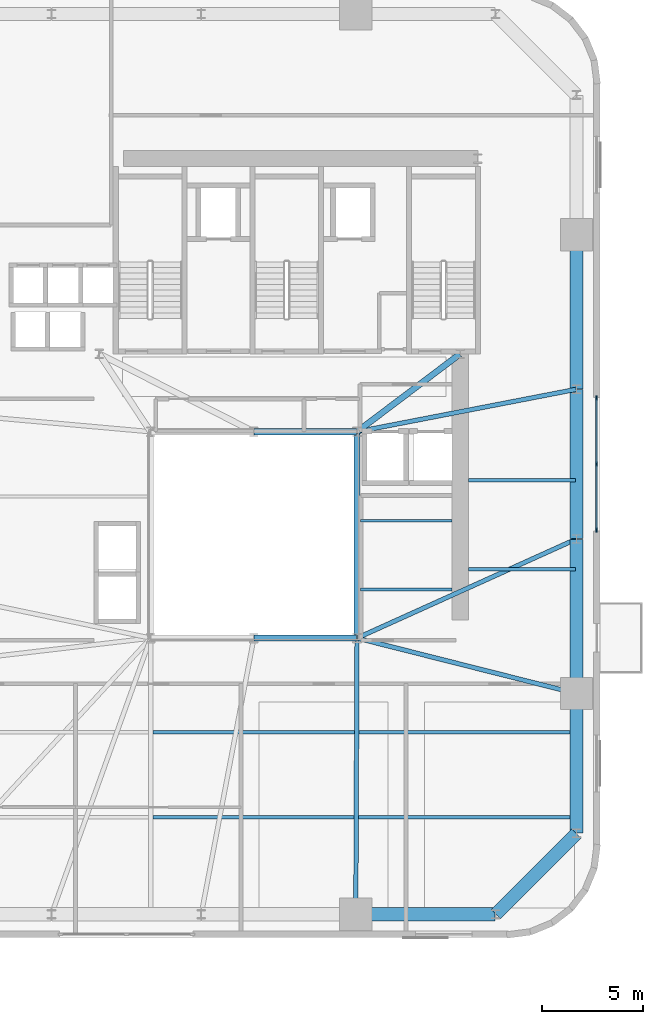
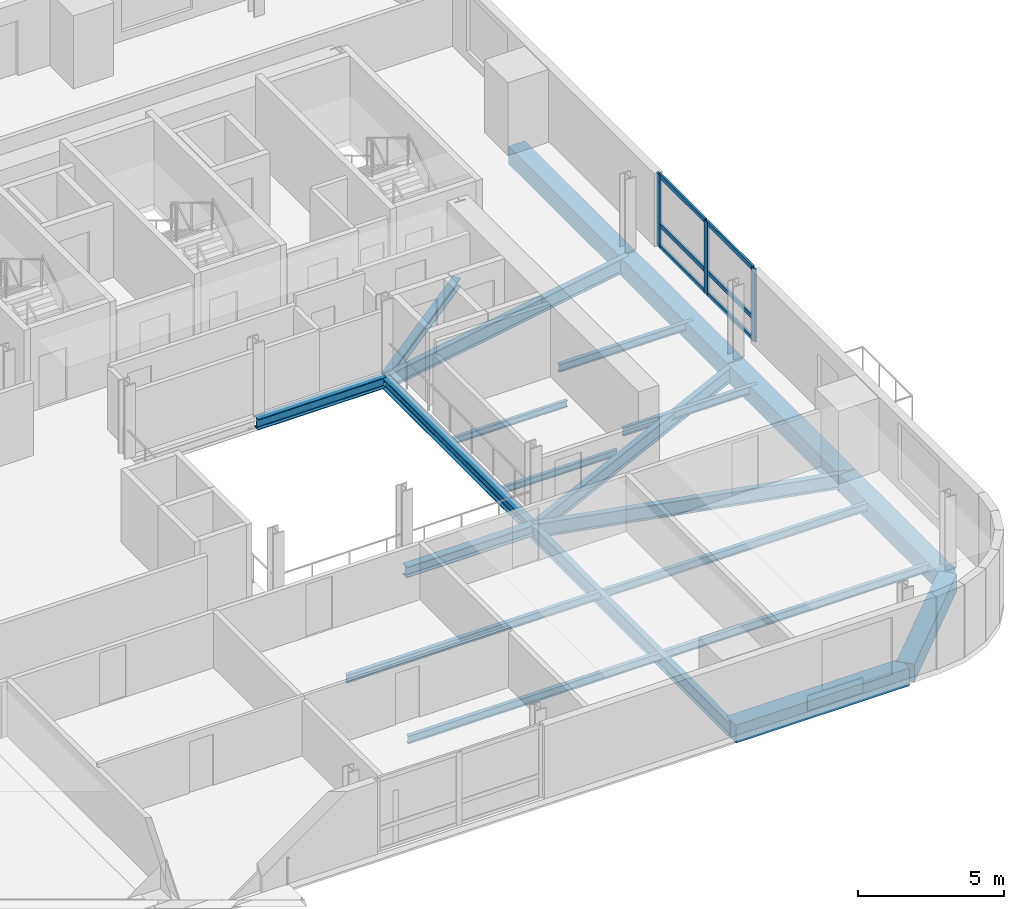
# One storey, part 3 of 14: 20 beams, 9 members, 1 element without a shape of its own.
"""IFC4 building model written with IfcOpenShell, lengths in metres."""

from ifc_helpers import new_model, si_unit, direction, frame, origin, origin_2d, place, context, subcontext, project, spatial, rectangle, i_section, extrude, source, transform, mapped, material, material_profile, profile_set, type_object, element, aggregate, save


model = new_model("IFC4")

# Units and contexts
model_context = context("Model", 3, precision=1e-05, world=origin(), true_north=direction((0.0, 1.0)))
body_context = subcontext(model_context, "Body", "Model", "MODEL_VIEW")
ifc_project = project(units=[si_unit("LENGTHUNIT", "METRE"), si_unit("AREAUNIT", "SQUARE_METRE"), si_unit("VOLUMEUNIT", "CUBIC_METRE"), si_unit("PLANEANGLEUNIT", "RADIAN"), si_unit("MASSUNIT", "GRAM", prefix="KILO")], contexts=[model_context])

# Site, building, storey
site_placement = place(None, origin())
site = spatial("IfcSite", under=ifc_project, at=site_placement, CompositionType="ELEMENT")
building_placement = place(site_placement, origin())
building = spatial("IfcBuilding", under=site, at=building_placement, Name="Vardaveli Station Tower", CompositionType="ELEMENT")
storey_placement = place(building_placement, frame((0.0, 0.0, 163.10009765625)))
storey = spatial("IfcBuildingStorey", under=building, at=storey_placement, Name="L42", CompositionType="ELEMENT", Elevation=163.10009765625)

# Beams
ifc_material_1 = material(Name="Structural steel S355J2", Category="steel")
ifc_material_profile_1 = material_profile(ifc_material_1, i_section(OverallWidth=0.300048828125, OverallDepth=0.449951171875, WebThickness=0.013916015625, FlangeThickness=0.02587890625, FilletRadius=0.027099609375, at=origin_2d()), Name="HEB 450")
ifc_profile_set_1 = profile_set([ifc_material_profile_1], Name="Structural steel S355J2")
beam_type_1 = type_object("IfcBeamType", Name="BM-HEB450", PredefinedType="BEAM", material=ifc_profile_set_1)
shared_shape_1 = source(origin(), body_context, "Body", "SweptSolid", [
    extrude(i_section(OverallWidth=0.300048828125, OverallDepth=0.449951171875, WebThickness=0.013916015625, FlangeThickness=0.02587890625, FilletRadius=0.027099609375, at=origin_2d()), origin(), (0.0, 0.0, 1.0), 5.059814453125),
])
for number, where, z_axis, x_axis, name in (
    (1, (36.320068359375, 16.60009765625, -0.465087890625), (1.0, 0.0, 0.0), (0.0, 1.0, 0.0), "ABM-L42-02"),
    (2, (41.3798828125, 26.800048828125, -0.465087890625), (-1.0, 0.0, 0.0), (0.0, -1.0, 0.0), "ABM-L42-04"),
):
    element("IfcBeam", number, at=place(storey_placement, frame(where, z_axis=z_axis, x_axis=x_axis)), inside=storey, type_object=beam_type_1, Name=name, PredefinedType="BEAM", context=body_context, shape_type="MappedRepresentation", body=[
        mapped(shared_shape_1, transform((0.0, 0.0, 0.0), scale=1.0)),
    ])
shared_shape_2 = source(origin(), body_context, "Body", "SweptSolid", [
    extrude(i_section(OverallWidth=0.300048828125, OverallDepth=0.449951171875, WebThickness=0.013916015625, FlangeThickness=0.02587890625, FilletRadius=0.027099609375, at=origin_2d()), origin(), (0.0, 0.0, 1.0), 10.159912109375),
])
beam_1_placement = place(storey_placement, frame((41.39990234375, 16.6201171875, -0.465087890625), z_axis=(0.0, 1.0, 0.0), x_axis=(-1.0, 0.0, 0.0)))
element("IfcBeam", 3, at=beam_1_placement, inside=storey, type_object=beam_type_1, Name="ABM-L42-03", PredefinedType="BEAM", context=body_context, shape_type="MappedRepresentation", body=[
    mapped(shared_shape_2, transform((0.0, 0.0, 0.0), scale=1.0)),
])
ifc_material_profile_2 = material_profile(ifc_material_1, i_section(OverallWidth=0.300048828125, OverallDepth=0.360107421875, WebThickness=0.012451171875, FlangeThickness=0.0224609375, FilletRadius=0.027099609375, at=origin_2d()), Name="HEB 360")
ifc_profile_set_2 = profile_set([ifc_material_profile_2], Name="Structural steel S355J2")
beam_type_2 = type_object("IfcBeamType", Name="BM-HEB360", PredefinedType="BEAM", material=ifc_profile_set_2)
shared_shape_3 = source(origin(), body_context, "Body", "SweptSolid", [
    extrude(i_section(OverallWidth=0.300048828125, OverallDepth=0.360107421875, WebThickness=0.012451171875, FlangeThickness=0.0224609375, FilletRadius=0.027099609375, at=origin_2d()), origin(), (0.0, 0.0, 1.0), 6.35009765625),
])
beam_2_placement = place(storey_placement, frame((41.416015625, 26.81201171875, -0.420166015625), z_axis=(0.798118337722, 0.602500721154, 0.0), x_axis=(-0.602500721154, 0.798118337722, 0.0)))
element("IfcBeam", 4, at=beam_2_placement, inside=storey, type_object=beam_type_2, Name="CBM-L42-02", PredefinedType="BEAM", context=body_context, shape_type="MappedRepresentation", body=[
    mapped(shared_shape_3, transform((0.0, 0.0, 0.0), scale=1.0)),
])
ifc_material_2 = material(Name="Precast concrete C45/55", Category="concrete")
ifc_material_profile_3 = material_profile(ifc_material_2, rectangle(XDim=0.64990234375, YDim=0.75, at=origin_2d()), Name="LPB 650x750")
ifc_profile_set_3 = profile_set([ifc_material_profile_3], Name="Precast concrete C45/55")
beam_type_3 = type_object("IfcBeamType", Name="BM-LPB-750", PredefinedType="BEAM", material=ifc_profile_set_3)
shared_shape_4 = source(origin(), body_context, "Body", "SweptSolid", [
    extrude(rectangle(XDim=0.64990234375, YDim=0.75, at=origin_2d()), origin(), (0.0, 0.0, 1.0), 7.60009765625),
])
for number, where, z_axis, x_axis, name in (
    (5, (52.25, 13.8798828125, -0.614990234375), (0.0, 1.0, 0.0), (-1.0, 0.0, 0.0), "RBM-L42-07"),
    (6, (52.25, 28.919921875, -0.614990234375), (0.0, 1.0, 0.0), (-1.0, 0.0, 0.0), "RBM-L42-09"),
):
    element("IfcBeam", number, at=place(storey_placement, frame(where, z_axis=z_axis, x_axis=x_axis)), inside=storey, type_object=beam_type_3, Name=name, PredefinedType="BEAM", context=body_context, shape_type="MappedRepresentation", body=[
        mapped(shared_shape_4, transform((0.0, 0.0, 0.0), scale=1.0)),
    ])
shared_shape_5 = source(origin(), body_context, "Body", "SweptSolid", [
    extrude(rectangle(XDim=0.64990234375, YDim=0.75, at=origin_2d()), origin(), (0.0, 0.0, 1.0), 7.35986328125),
])
beam_3_placement = place(storey_placement, frame((52.25, 21.52001953125, -0.614990234375), z_axis=(0.0, 1.0, 0.0), x_axis=(-1.0, 0.0, 0.0)))
element("IfcBeam", 7, at=beam_3_placement, inside=storey, type_object=beam_type_3, Name="RBM-L42-08", PredefinedType="BEAM", context=body_context, shape_type="MappedRepresentation", body=[
    mapped(shared_shape_5, transform((0.0, 0.0, 0.0), scale=1.0)),
])
shared_shape_6 = source(origin(), body_context, "Body", "SweptSolid", [
    extrude(rectangle(XDim=0.64990234375, YDim=0.75, at=origin_2d()), origin(), (0.0, 0.0, 1.0), 6.869873046875),
])
beam_4_placement = place(storey_placement, frame((41.360107421875, 2.949951171875, -0.614990234375), z_axis=(1.0, 0.0, 0.0), x_axis=(0.0, 1.0, 0.0)))
element("IfcBeam", 8, at=beam_4_placement, inside=storey, type_object=beam_type_3, Name="RBM-L42-04", PredefinedType="BEAM", context=body_context, shape_type="MappedRepresentation", body=[
    mapped(shared_shape_6, transform((0.0, 0.0, 0.0), scale=1.0)),
])
shared_shape_7 = source(origin(), body_context, "Body", "SweptSolid", [
    extrude(rectangle(XDim=0.64990234375, YDim=0.75, at=origin_2d()), origin(), (0.0, 0.0, 1.0), 5.61669921875),
])
beam_5_placement = place(storey_placement, frame((48.26416015625, 2.964111328125, -0.614990234375), z_axis=(0.707106781187, 0.707106781187, 0.0), x_axis=(-0.707106781187, 0.707106781187, 0.0)))
element("IfcBeam", 9, at=beam_5_placement, inside=storey, type_object=beam_type_3, Name="RBM-L42-05", PredefinedType="BEAM", context=body_context, shape_type="MappedRepresentation", body=[
    mapped(shared_shape_7, transform((0.0, 0.0, 0.0), scale=1.0)),
])
shared_shape_8 = source(origin(), body_context, "Body", "SweptSolid", [
    extrude(rectangle(XDim=0.64990234375, YDim=0.75, at=origin_2d()), origin(), (0.0, 0.0, 1.0), 6.8701171875),
])
beam_6_placement = place(storey_placement, frame((52.25, 6.969970703125, -0.614990234375), z_axis=(0.0, 1.0, 0.0), x_axis=(-1.0, 0.0, 0.0)))
element("IfcBeam", 10, at=beam_6_placement, inside=storey, type_object=beam_type_3, Name="RBM-L42-06", PredefinedType="BEAM", context=body_context, shape_type="MappedRepresentation", body=[
    mapped(shared_shape_8, transform((0.0, 0.0, 0.0), scale=1.0)),
])
ifc_material_profile_4 = material_profile(ifc_material_1, i_section(OverallWidth=0.159912109375, OverallDepth=0.330078125, WebThickness=0.007568359375, FlangeThickness=0.011474609375, FilletRadius=0.01806640625, at=origin_2d()), Name="IPE 330")
ifc_profile_set_4 = profile_set([ifc_material_profile_4], Name="Structural steel S355J2")
beam_type_4 = type_object("IfcBeamType", Name="BM-IPE330", PredefinedType="JOIST", material=ifc_profile_set_4)
shared_shape_9 = source(origin(), body_context, "Body", "SweptSolid", [
    extrude(i_section(OverallWidth=0.159912109375, OverallDepth=0.330078125, WebThickness=0.007568359375, FlangeThickness=0.011474609375, FilletRadius=0.01806640625, at=origin_2d()), origin(), (0.0, 0.0, 1.0), 20.89794921875),
])
for number, where, z_axis, x_axis, name in (
    (11, (31.31201171875, 7.75, -0.405029296875), (1.0, 0.0, 0.0), (0.0, 1.0, 0.0), "SJ-L42-S02"),
    (12, (31.31201171875, 11.949951171875, -0.405029296875), (1.0, 0.0, 0.0), (0.0, 1.0, 0.0), "SJ-L42-S04"),
):
    element("IfcBeam", number, at=place(storey_placement, frame(where, z_axis=z_axis, x_axis=x_axis)), inside=storey, type_object=beam_type_4, Name=name, PredefinedType="JOIST", context=body_context, shape_type="MappedRepresentation", body=[
        mapped(shared_shape_9, transform((0.0, 0.0, 0.0), scale=1.0)),
    ])
shared_shape_10 = source(origin(), body_context, "Body", "SweptSolid", [
    extrude(i_section(OverallWidth=0.159912109375, OverallDepth=0.330078125, WebThickness=0.007568359375, FlangeThickness=0.011474609375, FilletRadius=0.01806640625, at=origin_2d()), origin(), (0.0, 0.0, 1.0), 5.304931640625),
])
for number, where, z_axis, x_axis, name in (
    (13, (46.905029296875, 20.0, -0.405029296875), (1.0, 0.0, 0.0), (0.0, 1.0, 0.0), "SJ-L42-E07"),
    (14, (46.905029296875, 24.39990234375, -0.405029296875), (1.0, 0.0, 0.0), (0.0, 1.0, 0.0), "SJ-L42-E08"),
):
    element("IfcBeam", number, at=place(storey_placement, frame(where, z_axis=z_axis, x_axis=x_axis)), inside=storey, type_object=beam_type_4, Name=name, PredefinedType="JOIST", context=body_context, shape_type="MappedRepresentation", body=[
        mapped(shared_shape_10, transform((0.0, 0.0, 0.0), scale=1.0)),
    ])
ifc_material_profile_5 = material_profile(ifc_material_1, i_section(OverallWidth=0.135009765625, OverallDepth=0.27001953125, WebThickness=0.006591796875, FlangeThickness=0.01025390625, FilletRadius=0.014892578125, at=origin_2d()), Name="IPE 270")
ifc_profile_set_5 = profile_set([ifc_material_profile_5], Name="Structural steel S355J2")
beam_type_5 = type_object("IfcBeamType", Name="BM-IPE270", PredefinedType="BEAM", material=ifc_profile_set_5)
shared_shape_11 = source(origin(), body_context, "Body", "SweptSolid", [
    extrude(i_section(OverallWidth=0.135009765625, OverallDepth=0.27001953125, WebThickness=0.006591796875, FlangeThickness=0.01025390625, FilletRadius=0.014892578125, at=origin_2d()), origin(), (0.0, 0.0, 1.0), 4.530029296875),
])
for number, where, z_axis, x_axis, name in (
    (15, (41.56494140625, 19.0, -0.375), (1.0, 0.0, 0.0), (0.0, 1.0, 0.0), "TJ-L42-01"),
    (16, (41.56494140625, 22.39990234375, -0.375), (1.0, 0.0, 0.0), (0.0, 1.0, 0.0), "TJ-L42-02"),
):
    element("IfcBeam", number, at=place(storey_placement, frame(where, z_axis=z_axis, x_axis=x_axis)), inside=storey, type_object=beam_type_5, Name=name, PredefinedType="BEAM", context=body_context, shape_type="MappedRepresentation", body=[
        mapped(shared_shape_11, transform((0.0, 0.0, 0.0), scale=1.0)),
    ])
ifc_material_profile_6 = material_profile(ifc_material_1, i_section(OverallWidth=0.219970703125, OverallDepth=0.60009765625, WebThickness=0.011962890625, FlangeThickness=0.01904296875, FilletRadius=0.02392578125, at=origin_2d()), Name="IPE 600")
ifc_profile_set_6 = profile_set([ifc_material_profile_6], Name="Structural steel S355J2")
beam_type_6 = type_object("IfcBeamType", Name="BM-IPE600", PredefinedType="BEAM", material=ifc_profile_set_6)
shared_shape_12 = source(origin(), body_context, "Body", "SweptSolid", [
    extrude(i_section(OverallWidth=0.219970703125, OverallDepth=0.60009765625, WebThickness=0.011962890625, FlangeThickness=0.01904296875, FilletRadius=0.02392578125, at=origin_2d()), origin(), (0.0, 0.0, 1.0), 13.6103515625),
])
beam_7_placement = place(storey_placement, frame((41.340087890625, 2.969970703125, -0.5400390625), z_axis=(0.004394812886, 0.999990342763, 0.0), x_axis=(-0.999990342763, 0.004394812886, 0.0)))
element("IfcBeam", 17, at=beam_7_placement, inside=storey, type_object=beam_type_6, Name="GBM-L42-04", PredefinedType="BEAM", context=body_context, shape_type="MappedRepresentation", body=[
    mapped(shared_shape_12, transform((0.0, 0.0, 0.0), scale=1.0)),
])
shared_shape_13 = source(origin(), body_context, "Body", "SweptSolid", [
    extrude(i_section(OverallWidth=0.219970703125, OverallDepth=0.60009765625, WebThickness=0.011962890625, FlangeThickness=0.01904296875, FilletRadius=0.02392578125, at=origin_2d()), origin(), (0.0, 0.0, 1.0), 11.150634765625),
])
beam_8_placement = place(storey_placement, frame((52.230712890625, 13.864990234375, -0.5400390625), z_axis=(-0.969561465826, 0.244848042642, 0.0), x_axis=(-0.244848042642, -0.969561465826, 0.0)))
element("IfcBeam", 18, at=beam_8_placement, inside=storey, type_object=beam_type_6, Name="GBM-L42-05", PredefinedType="BEAM", context=body_context, shape_type="MappedRepresentation", body=[
    mapped(shared_shape_13, transform((0.0, 0.0, 0.0), scale=1.0)),
])
shared_shape_14 = source(origin(), body_context, "Body", "SweptSolid", [
    extrude(i_section(OverallWidth=0.219970703125, OverallDepth=0.60009765625, WebThickness=0.011962890625, FlangeThickness=0.01904296875, FilletRadius=0.02392578125, at=origin_2d()), origin(), (0.0, 0.0, 1.0), 11.864990234375),
])
beam_9_placement = place(storey_placement, frame((52.231689453125, 21.49169921875, -0.5400390625), z_axis=(-0.911369354756, -0.411589478985, 0.0), x_axis=(0.411589478985, -0.911369354756, 0.0)))
element("IfcBeam", 19, at=beam_9_placement, inside=storey, type_object=beam_type_6, Name="GBM-L42-06", PredefinedType="BEAM", context=body_context, shape_type="MappedRepresentation", body=[
    mapped(shared_shape_14, transform((0.0, 0.0, 0.0), scale=1.0)),
])
shared_shape_15 = source(origin(), body_context, "Body", "SweptSolid", [
    extrude(i_section(OverallWidth=0.219970703125, OverallDepth=0.60009765625, WebThickness=0.011962890625, FlangeThickness=0.01904296875, FilletRadius=0.02392578125, at=origin_2d()), origin(), (0.0, 0.0, 1.0), 11.011474609375),
])
beam_10_placement = place(storey_placement, frame((52.23046875, 28.896240234375, -0.5400390625), z_axis=(-0.981777849093, -0.190032247343, 0.0), x_axis=(0.190032247343, -0.981777849093, 0.0)))
element("IfcBeam", 20, at=beam_10_placement, inside=storey, type_object=beam_type_6, Name="GBM-L42-07", PredefinedType="BEAM", context=body_context, shape_type="MappedRepresentation", body=[
    mapped(shared_shape_15, transform((0.0, 0.0, 0.0), scale=1.0)),
])

# Curtain wall, members
ifc_material_3 = material(Name="Travertine stone and solar-control glass", Category="masonry")
curtain_wall_type = type_object("IfcCurtainWallType", Name="CW-SYS-2", PredefinedType="NOTDEFINED", material=ifc_material_3)
curtain_wall_placement = place(storey_placement, origin())
curtain_wall = element("IfcCurtainWall", 21, at=curtain_wall_placement, inside=storey, type_object=curtain_wall_type, Name="CW-L42-E", PredefinedType="NOTDEFINED")
ifc_material_4 = material(Name="Anodised aluminium alloy 6063-T6", Category="aluminium")
ifc_material_profile_7 = material_profile(ifc_material_4, rectangle(XDim=0.0849609375, YDim=0.179931640625, at=origin_2d()), Name="CWT 85x180")
ifc_profile_set_7 = profile_set([ifc_material_profile_7], Name="Anodised aluminium alloy 6063-T6")
member_type_1 = type_object("IfcMemberType", Name="CW-SYS-2-TRAN", PredefinedType="NOTDEFINED", material=ifc_profile_set_7)
shared_shape_16 = source(origin(), body_context, "Body", "SweptSolid", [
    extrude(rectangle(XDim=0.0849609375, YDim=0.179931640625, at=origin_2d()), origin(), (0.0, 0.0, 1.0), 3.172607421875),
])
member_1_placement = place(storey_placement, frame((53.239990234375, 25.242431640625, 0.04248046875), z_axis=(0.0, 1.0, 0.0), x_axis=(-1.0, 0.0, 0.0)))
member_1 = element("IfcMember", 22, at=member_1_placement, type_object=member_type_1, Name="CW-2 transom 2.1", ObjectType="TRANSOM", PredefinedType="USERDEFINED", context=body_context, shape_type="MappedRepresentation", body=[
    mapped(shared_shape_16, transform((0.0, 0.0, 0.0), scale=1.0)),
])
member_2_placement = place(storey_placement, frame((53.239990234375, 25.242431640625, 0.949951171875), z_axis=(0.0, 1.0, 0.0), x_axis=(-1.0, 0.0, 0.0)))
member_2 = element("IfcMember", 23, at=member_2_placement, type_object=member_type_1, Name="CW-2 transom 2.2", ObjectType="TRANSOM", PredefinedType="USERDEFINED", context=body_context, shape_type="MappedRepresentation", body=[
    mapped(shared_shape_16, transform((0.0, 0.0, 0.0), scale=1.0)),
])
member_3_placement = place(storey_placement, frame((53.239990234375, 25.242431640625, 3.00732421875), z_axis=(0.0, 1.0, 0.0), x_axis=(-1.0, 0.0, 0.0)))
member_3 = element("IfcMember", 24, at=member_3_placement, type_object=member_type_1, Name="CW-2 transom 2.3", ObjectType="TRANSOM", PredefinedType="USERDEFINED", context=body_context, shape_type="MappedRepresentation", body=[
    mapped(shared_shape_16, transform((0.0, 0.0, 0.0), scale=1.0)),
])
shared_shape_17 = source(origin(), body_context, "Body", "SweptSolid", [
    extrude(rectangle(XDim=0.0849609375, YDim=0.179931640625, at=origin_2d()), origin(), (0.0, 0.0, 1.0), 3.17236328125),
])
member_4_placement = place(storey_placement, frame((53.239990234375, 21.985107421875, 0.04248046875), z_axis=(0.0, 1.0, 0.0), x_axis=(-1.0, 0.0, 0.0)))
member_4 = element("IfcMember", 25, at=member_4_placement, type_object=member_type_1, Name="CW-2 transom 1.1", ObjectType="TRANSOM", PredefinedType="USERDEFINED", context=body_context, shape_type="MappedRepresentation", body=[
    mapped(shared_shape_17, transform((0.0, 0.0, 0.0), scale=1.0)),
])
member_5_placement = place(storey_placement, frame((53.239990234375, 21.985107421875, 0.949951171875), z_axis=(0.0, 1.0, 0.0), x_axis=(-1.0, 0.0, 0.0)))
member_5 = element("IfcMember", 26, at=member_5_placement, type_object=member_type_1, Name="CW-2 transom 1.2", ObjectType="TRANSOM", PredefinedType="USERDEFINED", context=body_context, shape_type="MappedRepresentation", body=[
    mapped(shared_shape_17, transform((0.0, 0.0, 0.0), scale=1.0)),
])
member_6_placement = place(storey_placement, frame((53.239990234375, 21.985107421875, 3.00732421875), z_axis=(0.0, 1.0, 0.0), x_axis=(-1.0, 0.0, 0.0)))
member_6 = element("IfcMember", 27, at=member_6_placement, type_object=member_type_1, Name="CW-2 transom 1.3", ObjectType="TRANSOM", PredefinedType="USERDEFINED", context=body_context, shape_type="MappedRepresentation", body=[
    mapped(shared_shape_17, transform((0.0, 0.0, 0.0), scale=1.0)),
])
ifc_material_profile_8 = material_profile(ifc_material_4, rectangle(XDim=0.0849609375, YDim=0.219970703125, at=origin_2d()), Name="CWM 85x220")
ifc_profile_set_8 = profile_set([ifc_material_profile_8], Name="Anodised aluminium alloy 6063-T6")
member_type_2 = type_object("IfcMemberType", Name="CW-SYS-2-MULL", PredefinedType="MULLION", material=ifc_profile_set_8)
shared_shape_18 = source(origin(), body_context, "Body", "SweptSolid", [
    extrude(rectangle(XDim=0.0849609375, YDim=0.219970703125, at=origin_2d()), origin(), (0.0, 0.0, 1.0), 3.0498046875),
])
member_7_placement = place(storey_placement, frame((53.239990234375, 21.9423828125, 0.0), z_axis=(0.0, 0.0, 1.0), x_axis=(-1.0, 0.0, 0.0)))
member_7 = element("IfcMember", 28, at=member_7_placement, type_object=member_type_2, Name="CW-2 mullion 1", PredefinedType="MULLION", context=body_context, shape_type="MappedRepresentation", body=[
    mapped(shared_shape_18, transform((0.0, 0.0, 0.0), scale=1.0)),
])
member_8_placement = place(storey_placement, frame((53.239990234375, 25.199951171875, 0.0), z_axis=(0.0, 0.0, 1.0), x_axis=(-1.0, 0.0, 0.0)))
member_8 = element("IfcMember", 29, at=member_8_placement, type_object=member_type_2, Name="CW-2 mullion 2", PredefinedType="MULLION", context=body_context, shape_type="MappedRepresentation", body=[
    mapped(shared_shape_18, transform((0.0, 0.0, 0.0), scale=1.0)),
])
member_9_placement = place(storey_placement, frame((53.239990234375, 28.45751953125, 0.0), z_axis=(0.0, 0.0, 1.0), x_axis=(-1.0, 0.0, 0.0)))
member_9 = element("IfcMember", 30, at=member_9_placement, type_object=member_type_2, Name="CW-2 mullion 3", PredefinedType="MULLION", context=body_context, shape_type="MappedRepresentation", body=[
    mapped(shared_shape_18, transform((0.0, 0.0, 0.0), scale=1.0)),
])
aggregate(curtain_wall, [member_7, member_8, member_9, member_4, member_5, member_6, member_1, member_2, member_3])

save(model, "model.ifc")
